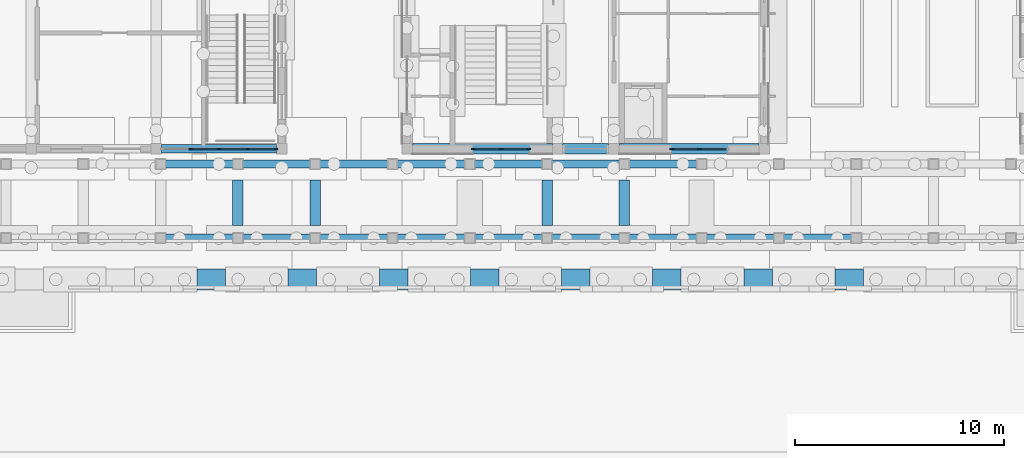
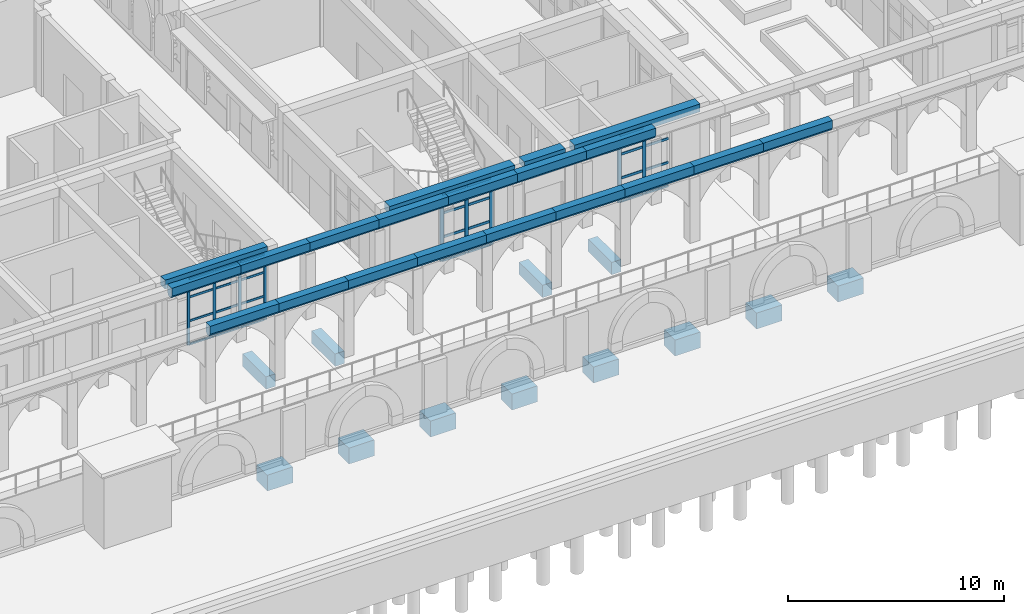
# One storey, part 20 of 161: 36 members, 32 beams, 3 elements without a shape of their own.
"""IFC4 building model written with IfcOpenShell, lengths in metres."""

from ifc_helpers import new_model, si_unit, direction, frame, origin, origin_2d, place, context, subcontext, project, spatial, polyline, rectangle, outline, extrude, material, layer, layer_set, material_profile, profile_set, type_object, element, aggregate, save


model = new_model("IFC4")

# Units and contexts
model_context = context("Model", 3, precision=1e-05, world=origin(), true_north=direction((0.0, 1.0)))
body_context = subcontext(model_context, "Body", "Model", "MODEL_VIEW")
ifc_project = project(units=[si_unit("LENGTHUNIT", "METRE"), si_unit("AREAUNIT", "SQUARE_METRE"), si_unit("VOLUMEUNIT", "CUBIC_METRE"), si_unit("PLANEANGLEUNIT", "RADIAN"), si_unit("MASSUNIT", "GRAM", prefix="KILO")], contexts=[model_context])

# Site, building, storey
site_placement = place(None, origin())
site = spatial("IfcSite", under=ifc_project, at=site_placement, CompositionType="ELEMENT")
building_placement = place(site_placement, origin())
building = spatial("IfcBuilding", under=site, at=building_placement, Name="Elbe Cascade School", CompositionType="ELEMENT")
storey_placement = place(building_placement, origin())
storey = spatial("IfcBuildingStorey", under=building, at=storey_placement, Name="L00", CompositionType="ELEMENT", Elevation=0.0)

# Beam
ifc_material_1 = material(Name="Concrete C30/37", Category="concrete")
ifc_material_profile_1 = material_profile(ifc_material_1, rectangle(XDim=0.39990234375, YDim=0.5, at=origin_2d()), Name="RC 400x500")
ifc_profile_set_1 = profile_set([ifc_material_profile_1], Name="Concrete C30/37")
beam_type_1 = type_object("IfcBeamType", Name="Assembly hall beam RC 400x500", PredefinedType="BEAM", material=ifc_profile_set_1)
beam_1_placement = place(storey_placement, frame((57.25, 6.0, 4.0), z_axis=(1.0, 0.0, 0.0), x_axis=(0.0, 1.0, 0.0)))
element("IfcBeam", 1, at=beam_1_placement, inside=storey, type_object=beam_type_1, Name="Assembly hall beam RC 400x500 B19", PredefinedType="BEAM", context=body_context, shape_type="SweptSolid", body=[
    extrude(rectangle(XDim=0.39990234375, YDim=0.5, at=origin_2d()), origin(), (0.0, 0.0, 1.0), 5.5),
])

# Curtain wall, members
ifc_material_2 = material(Name="Aluminium frame with double glazing, bronze anodised", Category="aluminium")
ifc_layer = layer(ifc_material_2, 0.199951171875)
ifc_layer_set = layer_set([ifc_layer], Name="Aluminium frame with double glazing, bronze anodised")
curtain_wall_type_1 = type_object("IfcCurtainWallType", Name="Bars envelope Curtain wall, aluminium, bronze anodised, ground floor tall run", PredefinedType="NOTDEFINED", material=ifc_layer_set)
curtain_wall_1_placement = place(storey_placement, origin())
curtain_wall_1 = element("IfcCurtainWall", 2, at=curtain_wall_1_placement, inside=storey, type_object=curtain_wall_type_1, Name="Curtain wall CW3 A.L00.s1", PredefinedType="NOTDEFINED")
ifc_material_3 = material(Name="Aluminium mullion, bronze anodised", Category="aluminium")
ifc_material_profile_2 = material_profile(ifc_material_3, rectangle(XDim=0.06005859375, YDim=0.199951171875, at=origin_2d()), Name="Bars envelope Curtain wall mullion 60 x 200, aluminium, ground floor tall run")
ifc_profile_set_2 = profile_set([ifc_material_profile_2], Name="Aluminium mullion, bronze anodised")
member_type_1 = type_object("IfcMemberType", Name="Bars envelope Curtain wall mullion 60 x 200, aluminium, ground floor tall run", PredefinedType="MULLION", material=ifc_profile_set_2)
member_1_placement = place(storey_placement, frame((74.820068359375, 6.0, 0.0), z_axis=(0.0, 0.0, 1.0), x_axis=(0.0, -1.0, 0.0)))
member_1 = element("IfcMember", 3, at=member_1_placement, type_object=member_type_1, Name="CW3 mullion 1", PredefinedType="MULLION", context=body_context, shape_type="SweptSolid", body=[
    extrude(rectangle(XDim=0.06005859375, YDim=0.199951171875, at=origin_2d()), origin(), (0.0, 0.0, 1.0), 3.800048828125),
])
member_2_placement = place(storey_placement, frame((73.5, 6.0, 0.0), z_axis=(0.0, 0.0, 1.0), x_axis=(0.0, -1.0, 0.0)))
member_2 = element("IfcMember", 4, at=member_2_placement, type_object=member_type_1, Name="CW3 mullion 2", PredefinedType="MULLION", context=body_context, shape_type="SweptSolid", body=[
    extrude(rectangle(XDim=0.06005859375, YDim=0.199951171875, at=origin_2d()), origin(), (0.0, 0.0, 1.0), 3.800048828125),
])
member_3_placement = place(storey_placement, frame((72.179931640625, 6.0, 0.0), z_axis=(0.0, 0.0, 1.0), x_axis=(0.0, -1.0, 0.0)))
member_3 = element("IfcMember", 5, at=member_3_placement, type_object=member_type_1, Name="CW3 mullion 3", PredefinedType="MULLION", context=body_context, shape_type="SweptSolid", body=[
    extrude(rectangle(XDim=0.06005859375, YDim=0.199951171875, at=origin_2d()), origin(), (0.0, 0.0, 1.0), 3.800048828125),
])

curtain_wall_2_placement = place(storey_placement, origin())
curtain_wall_2 = element("IfcCurtainWall", 6, at=curtain_wall_2_placement, inside=storey, type_object=curtain_wall_type_1, Name="Curtain wall CW3 A.L00.s3", PredefinedType="NOTDEFINED")
member_4_placement = place(storey_placement, frame((83.0, 6.0, 0.0), z_axis=(0.0, 0.0, 1.0), x_axis=(0.0, -1.0, 0.0)))
member_4 = element("IfcMember", 7, at=member_4_placement, type_object=member_type_1, Name="CW3 mullion 2", PredefinedType="MULLION", context=body_context, shape_type="SweptSolid", body=[
    extrude(rectangle(XDim=0.06005859375, YDim=0.199951171875, at=origin_2d()), origin(), (0.0, 0.0, 1.0), 3.800048828125),
])
member_5_placement = place(storey_placement, frame((81.679931640625, 6.0, 0.0), z_axis=(0.0, 0.0, 1.0), x_axis=(0.0, -1.0, 0.0)))
member_5 = element("IfcMember", 8, at=member_5_placement, type_object=member_type_1, Name="CW3 mullion 3", PredefinedType="MULLION", context=body_context, shape_type="SweptSolid", body=[
    extrude(rectangle(XDim=0.06005859375, YDim=0.199951171875, at=origin_2d()), origin(), (0.0, 0.0, 1.0), 3.800048828125),
])

# Member
ifc_material_4 = material(Name="Aluminium transom, bronze anodised", Category="aluminium")
ifc_material_profile_3 = material_profile(ifc_material_4, rectangle(XDim=0.06005859375, YDim=0.139892578125, at=origin_2d()), Name="Bars envelope Curtain wall transom 60 x 140, aluminium, ground floor tall run")
ifc_profile_set_3 = profile_set([ifc_material_profile_3], Name="Aluminium transom, bronze anodised")
member_type_2 = type_object("IfcMemberType", Name="Bars envelope Curtain wall transom 60 x 140, aluminium, ground floor tall run", PredefinedType="USERDEFINED", material=ifc_profile_set_3)
member_6_placement = place(storey_placement, frame((74.7900390625, 6.0, 0.030029296875), z_axis=(-1.0, 0.0, 0.0), x_axis=(0.0, -1.0, 0.0)))
member_6 = element("IfcMember", 9, at=member_6_placement, type_object=member_type_2, Name="CW3 transom 1.1", ObjectType="TRANSOM", PredefinedType="USERDEFINED", context=body_context, shape_type="SweptSolid", body=[
    extrude(rectangle(XDim=0.06005859375, YDim=0.139892578125, at=origin_2d()), origin(), (0.0, 0.0, 1.0), 1.260009765625),
])

member_7_placement = place(storey_placement, frame((74.7900390625, 6.0, 1.35009765625), z_axis=(-1.0, 0.0, 0.0), x_axis=(0.0, -1.0, 0.0)))
member_7 = element("IfcMember", 10, at=member_7_placement, type_object=member_type_2, Name="CW3 transom 1.2", ObjectType="TRANSOM", PredefinedType="USERDEFINED", context=body_context, shape_type="SweptSolid", body=[
    extrude(rectangle(XDim=0.06005859375, YDim=0.139892578125, at=origin_2d()), origin(), (0.0, 0.0, 1.0), 1.260009765625),
])

member_8_placement = place(storey_placement, frame((74.7900390625, 6.0, 2.699951171875), z_axis=(-1.0, 0.0, 0.0), x_axis=(0.0, -1.0, 0.0)))
member_8 = element("IfcMember", 11, at=member_8_placement, type_object=member_type_2, Name="CW3 transom 1.3", ObjectType="TRANSOM", PredefinedType="USERDEFINED", context=body_context, shape_type="SweptSolid", body=[
    extrude(rectangle(XDim=0.06005859375, YDim=0.139892578125, at=origin_2d()), origin(), (0.0, 0.0, 1.0), 1.260009765625),
])

member_9_placement = place(storey_placement, frame((74.7900390625, 6.0, 3.77001953125), z_axis=(-1.0, 0.0, 0.0), x_axis=(0.0, -1.0, 0.0)))
member_9 = element("IfcMember", 12, at=member_9_placement, type_object=member_type_2, Name="CW3 transom 1.4", ObjectType="TRANSOM", PredefinedType="USERDEFINED", context=body_context, shape_type="SweptSolid", body=[
    extrude(rectangle(XDim=0.06005859375, YDim=0.139892578125, at=origin_2d()), origin(), (0.0, 0.0, 1.0), 1.260009765625),
])

member_10_placement = place(storey_placement, frame((73.469970703125, 6.0, 0.030029296875), z_axis=(-1.0, 0.0, 0.0), x_axis=(0.0, -1.0, 0.0)))
member_10 = element("IfcMember", 13, at=member_10_placement, type_object=member_type_2, Name="CW3 transom 2.1", ObjectType="TRANSOM", PredefinedType="USERDEFINED", context=body_context, shape_type="SweptSolid", body=[
    extrude(rectangle(XDim=0.06005859375, YDim=0.139892578125, at=origin_2d()), origin(), (0.0, 0.0, 1.0), 1.260009765625),
])

member_11_placement = place(storey_placement, frame((73.469970703125, 6.0, 1.35009765625), z_axis=(-1.0, 0.0, 0.0), x_axis=(0.0, -1.0, 0.0)))
member_11 = element("IfcMember", 14, at=member_11_placement, type_object=member_type_2, Name="CW3 transom 2.2", ObjectType="TRANSOM", PredefinedType="USERDEFINED", context=body_context, shape_type="SweptSolid", body=[
    extrude(rectangle(XDim=0.06005859375, YDim=0.139892578125, at=origin_2d()), origin(), (0.0, 0.0, 1.0), 1.260009765625),
])

member_12_placement = place(storey_placement, frame((73.469970703125, 6.0, 2.699951171875), z_axis=(-1.0, 0.0, 0.0), x_axis=(0.0, -1.0, 0.0)))
member_12 = element("IfcMember", 15, at=member_12_placement, type_object=member_type_2, Name="CW3 transom 2.3", ObjectType="TRANSOM", PredefinedType="USERDEFINED", context=body_context, shape_type="SweptSolid", body=[
    extrude(rectangle(XDim=0.06005859375, YDim=0.139892578125, at=origin_2d()), origin(), (0.0, 0.0, 1.0), 1.260009765625),
])

member_13_placement = place(storey_placement, frame((73.469970703125, 6.0, 3.77001953125), z_axis=(-1.0, 0.0, 0.0), x_axis=(0.0, -1.0, 0.0)))
member_13 = element("IfcMember", 16, at=member_13_placement, type_object=member_type_2, Name="CW3 transom 2.4", ObjectType="TRANSOM", PredefinedType="USERDEFINED", context=body_context, shape_type="SweptSolid", body=[
    extrude(rectangle(XDim=0.06005859375, YDim=0.139892578125, at=origin_2d()), origin(), (0.0, 0.0, 1.0), 1.260009765625),
])

aggregate(curtain_wall_1, [member_1, member_2, member_3, member_6, member_7, member_8, member_9, member_10, member_11, member_12, member_13])

member_14_placement = place(storey_placement, frame((84.2900390625, 6.0, 0.030029296875), z_axis=(-1.0, 0.0, 0.0), x_axis=(0.0, -1.0, 0.0)))
member_14 = element("IfcMember", 17, at=member_14_placement, type_object=member_type_2, Name="CW3 transom 1.1", ObjectType="TRANSOM", PredefinedType="USERDEFINED", context=body_context, shape_type="SweptSolid", body=[
    extrude(rectangle(XDim=0.06005859375, YDim=0.139892578125, at=origin_2d()), origin(), (0.0, 0.0, 1.0), 1.260009765625),
])

member_15_placement = place(storey_placement, frame((84.2900390625, 6.0, 1.35009765625), z_axis=(-1.0, 0.0, 0.0), x_axis=(0.0, -1.0, 0.0)))
member_15 = element("IfcMember", 18, at=member_15_placement, type_object=member_type_2, Name="CW3 transom 1.2", ObjectType="TRANSOM", PredefinedType="USERDEFINED", context=body_context, shape_type="SweptSolid", body=[
    extrude(rectangle(XDim=0.06005859375, YDim=0.139892578125, at=origin_2d()), origin(), (0.0, 0.0, 1.0), 1.260009765625),
])

member_16_placement = place(storey_placement, frame((84.2900390625, 6.0, 2.699951171875), z_axis=(-1.0, 0.0, 0.0), x_axis=(0.0, -1.0, 0.0)))
member_16 = element("IfcMember", 19, at=member_16_placement, type_object=member_type_2, Name="CW3 transom 1.3", ObjectType="TRANSOM", PredefinedType="USERDEFINED", context=body_context, shape_type="SweptSolid", body=[
    extrude(rectangle(XDim=0.06005859375, YDim=0.139892578125, at=origin_2d()), origin(), (0.0, 0.0, 1.0), 1.260009765625),
])

member_17_placement = place(storey_placement, frame((82.969970703125, 6.0, 0.030029296875), z_axis=(-1.0, 0.0, 0.0), x_axis=(0.0, -1.0, 0.0)))
member_17 = element("IfcMember", 20, at=member_17_placement, type_object=member_type_2, Name="CW3 transom 2.1", ObjectType="TRANSOM", PredefinedType="USERDEFINED", context=body_context, shape_type="SweptSolid", body=[
    extrude(rectangle(XDim=0.06005859375, YDim=0.139892578125, at=origin_2d()), origin(), (0.0, 0.0, 1.0), 1.260009765625),
])

member_18_placement = place(storey_placement, frame((82.969970703125, 6.0, 1.35009765625), z_axis=(-1.0, 0.0, 0.0), x_axis=(0.0, -1.0, 0.0)))
member_18 = element("IfcMember", 21, at=member_18_placement, type_object=member_type_2, Name="CW3 transom 2.2", ObjectType="TRANSOM", PredefinedType="USERDEFINED", context=body_context, shape_type="SweptSolid", body=[
    extrude(rectangle(XDim=0.06005859375, YDim=0.139892578125, at=origin_2d()), origin(), (0.0, 0.0, 1.0), 1.260009765625),
])

member_19_placement = place(storey_placement, frame((82.969970703125, 6.0, 2.699951171875), z_axis=(-1.0, 0.0, 0.0), x_axis=(0.0, -1.0, 0.0)))
member_19 = element("IfcMember", 22, at=member_19_placement, type_object=member_type_2, Name="CW3 transom 2.3", ObjectType="TRANSOM", PredefinedType="USERDEFINED", context=body_context, shape_type="SweptSolid", body=[
    extrude(rectangle(XDim=0.06005859375, YDim=0.139892578125, at=origin_2d()), origin(), (0.0, 0.0, 1.0), 1.260009765625),
])

member_20_placement = place(storey_placement, frame((82.969970703125, 6.0, 3.77001953125), z_axis=(-1.0, 0.0, 0.0), x_axis=(0.0, -1.0, 0.0)))
member_20 = element("IfcMember", 23, at=member_20_placement, type_object=member_type_2, Name="CW3 transom 2.4", ObjectType="TRANSOM", PredefinedType="USERDEFINED", context=body_context, shape_type="SweptSolid", body=[
    extrude(rectangle(XDim=0.06005859375, YDim=0.139892578125, at=origin_2d()), origin(), (0.0, 0.0, 1.0), 1.260009765625),
])

aggregate(curtain_wall_2, [member_4, member_5, member_14, member_15, member_16, member_17, member_18, member_19, member_20])

# Curtain wall, members
ifc_material_5 = material(Name="Cafe curtain wall")
curtain_wall_type_2 = type_object("IfcCurtainWallType", Name="Cafe curtain wall", PredefinedType="NOTDEFINED", material=ifc_material_5)
curtain_wall_3_placement = place(storey_placement, origin())
curtain_wall_3 = element("IfcCurtainWall", 24, at=curtain_wall_3_placement, inside=storey, type_object=curtain_wall_type_2, Name="Curtain wall CW1 DI.L00.cw.s3", PredefinedType="NOTDEFINED")
ifc_material_6 = material(Name="Aluminium - bronze anodised", Category="aluminium")
ifc_material_profile_4 = material_profile(ifc_material_6, rectangle(XDim=0.06005859375, YDim=0.159912109375, at=origin_2d()), Name="RECT 60x160")
ifc_profile_set_4 = profile_set([ifc_material_profile_4], Name="Aluminium - bronze anodised")
member_type_3 = type_object("IfcMemberType", Name="Cafe curtain wall mullion 60 x 160", PredefinedType="MULLION", material=ifc_profile_set_4)
member_21_placement = place(storey_placement, frame((58.625, 6.0, 0.0), z_axis=(0.0, 0.0, 1.0), x_axis=(0.0, 1.0, 0.0)))
member_21 = element("IfcMember", 25, at=member_21_placement, type_object=member_type_3, Name="CW1 mullion 2", PredefinedType="MULLION", context=body_context, shape_type="SweptSolid", body=[
    extrude(rectangle(XDim=0.06005859375, YDim=0.159912109375, at=origin_2d()), origin(), (0.0, 0.0, 1.0), 3.75),
])
member_22_placement = place(storey_placement, frame((60.0, 6.0, 0.0), z_axis=(0.0, 0.0, 1.0), x_axis=(0.0, 1.0, 0.0)))
member_22 = element("IfcMember", 26, at=member_22_placement, type_object=member_type_3, Name="CW1 mullion 3", PredefinedType="MULLION", context=body_context, shape_type="SweptSolid", body=[
    extrude(rectangle(XDim=0.06005859375, YDim=0.159912109375, at=origin_2d()), origin(), (0.0, 0.0, 1.0), 3.75),
])
member_23_placement = place(storey_placement, frame((61.375, 6.0, 0.0), z_axis=(0.0, 0.0, 1.0), x_axis=(0.0, 1.0, 0.0)))
member_23 = element("IfcMember", 27, at=member_23_placement, type_object=member_type_3, Name="CW1 mullion 4", PredefinedType="MULLION", context=body_context, shape_type="SweptSolid", body=[
    extrude(rectangle(XDim=0.06005859375, YDim=0.159912109375, at=origin_2d()), origin(), (0.0, 0.0, 1.0), 3.75),
])
member_24_placement = place(storey_placement, frame((62.719970703125, 6.0, 0.0), z_axis=(0.0, 0.0, 1.0), x_axis=(0.0, 1.0, 0.0)))
member_24 = element("IfcMember", 28, at=member_24_placement, type_object=member_type_3, Name="CW1 mullion 5", PredefinedType="MULLION", context=body_context, shape_type="SweptSolid", body=[
    extrude(rectangle(XDim=0.06005859375, YDim=0.159912109375, at=origin_2d()), origin(), (0.0, 0.0, 1.0), 3.75),
])
ifc_material_7 = material(Name="Aluminium - bronze anodised", Category="aluminium")
ifc_material_profile_5 = material_profile(ifc_material_7, rectangle(XDim=0.06005859375, YDim=0.1201171875, at=origin_2d()), Name="RECT 60x120")
ifc_profile_set_5 = profile_set([ifc_material_profile_5], Name="Aluminium - bronze anodised")
member_type_4 = type_object("IfcMemberType", Name="Cafe curtain wall transom 60 x 120", PredefinedType="USERDEFINED", material=ifc_profile_set_5)
member_25_placement = place(storey_placement, frame((58.655029296875, 6.0, 0.030029296875), z_axis=(1.0, 0.0, 0.0), x_axis=(0.0, 1.0, 0.0)))
member_25 = element("IfcMember", 29, at=member_25_placement, type_object=member_type_4, Name="CW1 transom 2.1", ObjectType="TRANSOM", PredefinedType="USERDEFINED", context=body_context, shape_type="SweptSolid", body=[
    extrude(rectangle(XDim=0.06005859375, YDim=0.1201171875, at=origin_2d()), origin(), (0.0, 0.0, 1.0), 1.31494140625),
])
member_26_placement = place(storey_placement, frame((58.655029296875, 6.0, 1.35009765625), z_axis=(1.0, 0.0, 0.0), x_axis=(0.0, 1.0, 0.0)))
member_26 = element("IfcMember", 30, at=member_26_placement, type_object=member_type_4, Name="CW1 transom 2.2", ObjectType="TRANSOM", PredefinedType="USERDEFINED", context=body_context, shape_type="SweptSolid", body=[
    extrude(rectangle(XDim=0.06005859375, YDim=0.1201171875, at=origin_2d()), origin(), (0.0, 0.0, 1.0), 1.31494140625),
])
member_27_placement = place(storey_placement, frame((58.655029296875, 6.0, 2.699951171875), z_axis=(1.0, 0.0, 0.0), x_axis=(0.0, 1.0, 0.0)))
member_27 = element("IfcMember", 31, at=member_27_placement, type_object=member_type_4, Name="CW1 transom 2.3", ObjectType="TRANSOM", PredefinedType="USERDEFINED", context=body_context, shape_type="SweptSolid", body=[
    extrude(rectangle(XDim=0.06005859375, YDim=0.1201171875, at=origin_2d()), origin(), (0.0, 0.0, 1.0), 1.31494140625),
])
member_28_placement = place(storey_placement, frame((58.655029296875, 6.0, 3.719970703125), z_axis=(1.0, 0.0, 0.0), x_axis=(0.0, 1.0, 0.0)))
member_28 = element("IfcMember", 32, at=member_28_placement, type_object=member_type_4, Name="CW1 transom 2.4", ObjectType="TRANSOM", PredefinedType="USERDEFINED", context=body_context, shape_type="SweptSolid", body=[
    extrude(rectangle(XDim=0.06005859375, YDim=0.1201171875, at=origin_2d()), origin(), (0.0, 0.0, 1.0), 1.31494140625),
])
member_29_placement = place(storey_placement, frame((60.030029296875, 6.0, 0.030029296875), z_axis=(1.0, 0.0, 0.0), x_axis=(0.0, 1.0, 0.0)))
member_29 = element("IfcMember", 33, at=member_29_placement, type_object=member_type_4, Name="CW1 transom 3.1", ObjectType="TRANSOM", PredefinedType="USERDEFINED", context=body_context, shape_type="SweptSolid", body=[
    extrude(rectangle(XDim=0.06005859375, YDim=0.1201171875, at=origin_2d()), origin(), (0.0, 0.0, 1.0), 1.31494140625),
])
member_30_placement = place(storey_placement, frame((60.030029296875, 6.0, 1.35009765625), z_axis=(1.0, 0.0, 0.0), x_axis=(0.0, 1.0, 0.0)))
member_30 = element("IfcMember", 34, at=member_30_placement, type_object=member_type_4, Name="CW1 transom 3.2", ObjectType="TRANSOM", PredefinedType="USERDEFINED", context=body_context, shape_type="SweptSolid", body=[
    extrude(rectangle(XDim=0.06005859375, YDim=0.1201171875, at=origin_2d()), origin(), (0.0, 0.0, 1.0), 1.31494140625),
])
member_31_placement = place(storey_placement, frame((60.030029296875, 6.0, 2.699951171875), z_axis=(1.0, 0.0, 0.0), x_axis=(0.0, 1.0, 0.0)))
member_31 = element("IfcMember", 35, at=member_31_placement, type_object=member_type_4, Name="CW1 transom 3.3", ObjectType="TRANSOM", PredefinedType="USERDEFINED", context=body_context, shape_type="SweptSolid", body=[
    extrude(rectangle(XDim=0.06005859375, YDim=0.1201171875, at=origin_2d()), origin(), (0.0, 0.0, 1.0), 1.31494140625),
])
member_32_placement = place(storey_placement, frame((60.030029296875, 6.0, 3.719970703125), z_axis=(1.0, 0.0, 0.0), x_axis=(0.0, 1.0, 0.0)))
member_32 = element("IfcMember", 36, at=member_32_placement, type_object=member_type_4, Name="CW1 transom 3.4", ObjectType="TRANSOM", PredefinedType="USERDEFINED", context=body_context, shape_type="SweptSolid", body=[
    extrude(rectangle(XDim=0.06005859375, YDim=0.1201171875, at=origin_2d()), origin(), (0.0, 0.0, 1.0), 1.31494140625),
])
member_33_placement = place(storey_placement, frame((61.405029296875, 6.0, 0.030029296875), z_axis=(1.0, 0.0, 0.0), x_axis=(0.0, 1.0, 0.0)))
member_33 = element("IfcMember", 37, at=member_33_placement, type_object=member_type_4, Name="CW1 transom 4.1", ObjectType="TRANSOM", PredefinedType="USERDEFINED", context=body_context, shape_type="SweptSolid", body=[
    extrude(rectangle(XDim=0.06005859375, YDim=0.1201171875, at=origin_2d()), origin(), (0.0, 0.0, 1.0), 1.284912109375),
])
member_34_placement = place(storey_placement, frame((61.405029296875, 6.0, 1.35009765625), z_axis=(1.0, 0.0, 0.0), x_axis=(0.0, 1.0, 0.0)))
member_34 = element("IfcMember", 38, at=member_34_placement, type_object=member_type_4, Name="CW1 transom 4.2", ObjectType="TRANSOM", PredefinedType="USERDEFINED", context=body_context, shape_type="SweptSolid", body=[
    extrude(rectangle(XDim=0.06005859375, YDim=0.1201171875, at=origin_2d()), origin(), (0.0, 0.0, 1.0), 1.284912109375),
])
member_35_placement = place(storey_placement, frame((61.405029296875, 6.0, 2.699951171875), z_axis=(1.0, 0.0, 0.0), x_axis=(0.0, 1.0, 0.0)))
member_35 = element("IfcMember", 39, at=member_35_placement, type_object=member_type_4, Name="CW1 transom 4.3", ObjectType="TRANSOM", PredefinedType="USERDEFINED", context=body_context, shape_type="SweptSolid", body=[
    extrude(rectangle(XDim=0.06005859375, YDim=0.1201171875, at=origin_2d()), origin(), (0.0, 0.0, 1.0), 1.284912109375),
])
member_36_placement = place(storey_placement, frame((61.405029296875, 6.0, 3.719970703125), z_axis=(1.0, 0.0, 0.0), x_axis=(0.0, 1.0, 0.0)))
member_36 = element("IfcMember", 40, at=member_36_placement, type_object=member_type_4, Name="CW1 transom 4.4", ObjectType="TRANSOM", PredefinedType="USERDEFINED", context=body_context, shape_type="SweptSolid", body=[
    extrude(rectangle(XDim=0.06005859375, YDim=0.1201171875, at=origin_2d()), origin(), (0.0, 0.0, 1.0), 1.284912109375),
])
aggregate(curtain_wall_3, [member_21, member_22, member_23, member_24, member_25, member_26, member_27, member_28, member_29, member_30, member_31, member_32, member_33, member_34, member_35, member_36])

# Beams
ifc_material_8 = material(Name="Concrete C35/45", Category="concrete")
ifc_material_profile_6 = material_profile(ifc_material_8, outline(polyline([(-0.199951171875, 0.300048828125), (0.199951171875, 0.300048828125), (0.199951171875, -0.14990234375), (0.10009765625, -0.300048828125), (-0.10009765625, -0.300048828125), (-0.199951171875, -0.14990234375), (-0.199951171875, 0.300048828125)])), Name="RC arch 400x600")
ifc_profile_set_6 = profile_set([ifc_material_profile_6], Name="Concrete C35/45")
beam_type_2 = type_object("IfcBeamType", Name="Colonnade arch beam 400x600", PredefinedType="USERDEFINED", material=ifc_profile_set_6)
beam_2_placement = place(storey_placement, frame((57.199951171875, 1.72509765625, 3.949951171875), z_axis=(1.0, 0.0, 0.0), x_axis=(0.0, 1.0, 0.0)))
element("IfcBeam", 41, at=beam_2_placement, inside=storey, type_object=beam_type_2, Name="Colonnade arch beam F14", ObjectType="ARCH", PredefinedType="USERDEFINED", context=body_context, shape_type="SweptSolid", body=[
    extrude(outline(polyline([(-0.199951171875, 0.300048828125), (0.199951171875, 0.300048828125), (0.199951171875, -0.14990234375), (0.10009765625, -0.300048828125), (-0.10009765625, -0.300048828125), (-0.199951171875, -0.14990234375), (-0.199951171875, 0.300048828125)])), origin(), (0.0, 0.0, 1.0), 3.699951171875),
])
beam_3_placement = place(storey_placement, frame((60.89990234375, 1.72509765625, 3.949951171875), z_axis=(1.0, 0.0, 0.0), x_axis=(0.0, 1.0, 0.0)))
element("IfcBeam", 42, at=beam_3_placement, inside=storey, type_object=beam_type_2, Name="Colonnade arch beam F15", ObjectType="ARCH", PredefinedType="USERDEFINED", context=body_context, shape_type="SweptSolid", body=[
    extrude(outline(polyline([(-0.199951171875, 0.300048828125), (0.199951171875, 0.300048828125), (0.199951171875, -0.14990234375), (0.10009765625, -0.300048828125), (-0.10009765625, -0.300048828125), (-0.199951171875, -0.14990234375), (-0.199951171875, 0.300048828125)])), origin(), (0.0, 0.0, 1.0), 3.7001953125),
])
for number, where, z_axis, x_axis, name in (
    (43, (64.60009765625, 1.72509765625, 3.949951171875), (1.0, 0.0, 0.0), (0.0, 1.0, 0.0), "Colonnade arch beam F16"),
    (44, (68.300048828125, 1.72509765625, 3.949951171875), (1.0, 0.0, 0.0), (0.0, 1.0, 0.0), "Colonnade arch beam F17"),
    (45, (72.0, 1.72509765625, 3.949951171875), (1.0, 0.0, 0.0), (0.0, 1.0, 0.0), "Colonnade arch beam F18"),
    (46, (75.699951171875, 1.72509765625, 3.949951171875), (1.0, 0.0, 0.0), (0.0, 1.0, 0.0), "Colonnade arch beam F19"),
):
    element("IfcBeam", number, at=place(storey_placement, frame(where, z_axis=z_axis, x_axis=x_axis)), inside=storey, type_object=beam_type_2, Name=name, ObjectType="ARCH", PredefinedType="USERDEFINED", context=body_context, shape_type="SweptSolid", body=[
        extrude(outline(polyline([(-0.199951171875, 0.300048828125), (0.199951171875, 0.300048828125), (0.199951171875, -0.14990234375), (0.10009765625, -0.300048828125), (-0.10009765625, -0.300048828125), (-0.199951171875, -0.14990234375), (-0.199951171875, 0.300048828125)])), origin(), (0.0, 0.0, 1.0), 3.699951171875),
    ])
beam_4_placement = place(storey_placement, frame((79.39990234375, 1.72509765625, 3.949951171875), z_axis=(1.0, 0.0, 0.0), x_axis=(0.0, 1.0, 0.0)))
element("IfcBeam", 47, at=beam_4_placement, inside=storey, type_object=beam_type_2, Name="Colonnade arch beam F20", ObjectType="ARCH", PredefinedType="USERDEFINED", context=body_context, shape_type="SweptSolid", body=[
    extrude(outline(polyline([(-0.199951171875, 0.300048828125), (0.199951171875, 0.300048828125), (0.199951171875, -0.14990234375), (0.10009765625, -0.300048828125), (-0.10009765625, -0.300048828125), (-0.199951171875, -0.14990234375), (-0.199951171875, 0.300048828125)])), origin(), (0.0, 0.0, 1.0), 3.7001953125),
])
for number, where, z_axis, x_axis, name in (
    (48, (83.10009765625, 1.72509765625, 3.949951171875), (1.0, 0.0, 0.0), (0.0, 1.0, 0.0), "Colonnade arch beam F21"),
    (49, (86.800048828125, 1.72509765625, 3.949951171875), (1.0, 0.0, 0.0), (0.0, 1.0, 0.0), "Colonnade arch beam F22"),
    (50, (57.199951171875, 5.27490234375, 3.949951171875), (1.0, 0.0, 0.0), (0.0, 1.0, 0.0), "Colonnade arch beam R14"),
):
    element("IfcBeam", number, at=place(storey_placement, frame(where, z_axis=z_axis, x_axis=x_axis)), inside=storey, type_object=beam_type_2, Name=name, ObjectType="ARCH", PredefinedType="USERDEFINED", context=body_context, shape_type="SweptSolid", body=[
        extrude(outline(polyline([(-0.199951171875, 0.300048828125), (0.199951171875, 0.300048828125), (0.199951171875, -0.14990234375), (0.10009765625, -0.300048828125), (-0.10009765625, -0.300048828125), (-0.199951171875, -0.14990234375), (-0.199951171875, 0.300048828125)])), origin(), (0.0, 0.0, 1.0), 3.699951171875),
    ])
beam_5_placement = place(storey_placement, frame((60.89990234375, 5.27490234375, 3.949951171875), z_axis=(1.0, 0.0, 0.0), x_axis=(0.0, 1.0, 0.0)))
element("IfcBeam", 51, at=beam_5_placement, inside=storey, type_object=beam_type_2, Name="Colonnade arch beam R15", ObjectType="ARCH", PredefinedType="USERDEFINED", context=body_context, shape_type="SweptSolid", body=[
    extrude(outline(polyline([(-0.199951171875, 0.300048828125), (0.199951171875, 0.300048828125), (0.199951171875, -0.14990234375), (0.10009765625, -0.300048828125), (-0.10009765625, -0.300048828125), (-0.199951171875, -0.14990234375), (-0.199951171875, 0.300048828125)])), origin(), (0.0, 0.0, 1.0), 3.7001953125),
])
for number, where, z_axis, x_axis, name in (
    (52, (64.60009765625, 5.27490234375, 3.949951171875), (1.0, 0.0, 0.0), (0.0, 1.0, 0.0), "Colonnade arch beam R16"),
    (53, (68.300048828125, 5.27490234375, 3.949951171875), (1.0, 0.0, 0.0), (0.0, 1.0, 0.0), "Colonnade arch beam R17"),
    (54, (72.0, 5.27490234375, 3.949951171875), (1.0, 0.0, 0.0), (0.0, 1.0, 0.0), "Colonnade arch beam R18"),
    (55, (75.699951171875, 5.27490234375, 3.949951171875), (1.0, 0.0, 0.0), (0.0, 1.0, 0.0), "Colonnade arch beam R19"),
):
    element("IfcBeam", number, at=place(storey_placement, frame(where, z_axis=z_axis, x_axis=x_axis)), inside=storey, type_object=beam_type_2, Name=name, ObjectType="ARCH", PredefinedType="USERDEFINED", context=body_context, shape_type="SweptSolid", body=[
        extrude(outline(polyline([(-0.199951171875, 0.300048828125), (0.199951171875, 0.300048828125), (0.199951171875, -0.14990234375), (0.10009765625, -0.300048828125), (-0.10009765625, -0.300048828125), (-0.199951171875, -0.14990234375), (-0.199951171875, 0.300048828125)])), origin(), (0.0, 0.0, 1.0), 3.699951171875),
    ])
beam_6_placement = place(storey_placement, frame((79.39990234375, 5.27490234375, 3.949951171875), z_axis=(1.0, 0.0, 0.0), x_axis=(0.0, 1.0, 0.0)))
element("IfcBeam", 56, at=beam_6_placement, inside=storey, type_object=beam_type_2, Name="Colonnade arch beam R20", ObjectType="ARCH", PredefinedType="USERDEFINED", context=body_context, shape_type="SweptSolid", body=[
    extrude(outline(polyline([(-0.199951171875, 0.300048828125), (0.199951171875, 0.300048828125), (0.199951171875, -0.14990234375), (0.10009765625, -0.300048828125), (-0.10009765625, -0.300048828125), (-0.199951171875, -0.14990234375), (-0.199951171875, 0.300048828125)])), origin(), (0.0, 0.0, 1.0), 3.7001953125),
])
ifc_material_9 = material(Name="Concrete C30/37", Category="concrete")
ifc_material_profile_7 = material_profile(ifc_material_9, rectangle(XDim=1.0, YDim=0.89990234375, at=origin_2d()), Name="RC 1000x900")
ifc_profile_set_7 = profile_set([ifc_material_profile_7], Name="Concrete C30/37")
beam_type_3 = type_object("IfcBeamType", Name="Found ground beam RC 1000x900", PredefinedType="BEAM", material=ifc_profile_set_7)
for number, where, z_axis, x_axis, name in (
    (57, (58.9482421875, -0.25, -3.85009765625), (1.0, 0.0, 0.0), (0.0, 1.0, 0.0), "Ground beam 004"),
    (58, (63.310302734375, -0.25, -3.85009765625), (1.0, 0.0, 0.0), (0.0, 1.0, 0.0), "Ground beam 005"),
    (59, (67.67236328125, -0.25, -3.85009765625), (1.0, 0.0, 0.0), (0.0, 1.0, 0.0), "Ground beam 006"),
    (60, (72.034423828125, -0.25, -3.85009765625), (1.0, 0.0, 0.0), (0.0, 1.0, 0.0), "Ground beam 007"),
    (61, (76.396484375, -0.25, -3.85009765625), (1.0, 0.0, 0.0), (0.0, 1.0, 0.0), "Ground beam 008"),
    (62, (80.758544921875, -0.25, -3.85009765625), (1.0, 0.0, 0.0), (0.0, 1.0, 0.0), "Ground beam 009"),
):
    element("IfcBeam", number, at=place(storey_placement, frame(where, z_axis=z_axis, x_axis=x_axis)), inside=storey, type_object=beam_type_3, Name=name, PredefinedType="BEAM", context=body_context, shape_type="SweptSolid", body=[
        extrude(rectangle(XDim=1.0, YDim=0.89990234375, at=origin_2d()), origin(), (0.0, 0.0, 1.0), 1.362060546875),
    ])
beam_7_placement = place(storey_placement, frame((85.12060546875, -0.25, -3.85009765625), z_axis=(1.0, 0.0, 0.0), x_axis=(0.0, 1.0, 0.0)))
element("IfcBeam", 63, at=beam_7_placement, inside=storey, type_object=beam_type_3, Name="Ground beam 010", PredefinedType="BEAM", context=body_context, shape_type="SweptSolid", body=[
    extrude(rectangle(XDim=1.0, YDim=0.89990234375, at=origin_2d()), origin(), (0.0, 0.0, 1.0), 1.3623046875),
])
beam_8_placement = place(storey_placement, frame((89.48291015625, -0.25, -3.85009765625), z_axis=(1.0, 0.0, 0.0), x_axis=(0.0, 1.0, 0.0)))
element("IfcBeam", 64, at=beam_8_placement, inside=storey, type_object=beam_type_3, Name="Ground beam 011", PredefinedType="BEAM", context=body_context, shape_type="SweptSolid", body=[
    extrude(rectangle(XDim=1.0, YDim=0.89990234375, at=origin_2d()), origin(), (0.0, 0.0, 1.0), 1.36181640625),
])
ifc_material_10 = material(Name="Concrete C30/37", Category="concrete")
ifc_material_profile_8 = material_profile(ifc_material_10, rectangle(XDim=0.5, YDim=0.699951171875, at=origin_2d()), Name="RC 500x700")
ifc_profile_set_8 = profile_set([ifc_material_profile_8], Name="Concrete C30/37")
beam_type_4 = type_object("IfcBeamType", Name="Found ground beam RC 500x700", PredefinedType="BEAM", material=ifc_profile_set_8)
for number, where, z_axis, x_axis, name in (
    (65, (60.89990234375, 2.324951171875, -0.64990234375), (0.0, 1.0, 0.0), (-1.0, 0.0, 0.0), "Ground beam 392"),
    (66, (64.60009765625, 2.324951171875, -0.64990234375), (0.0, 1.0, 0.0), (-1.0, 0.0, 0.0), "Ground beam 393"),
    (67, (75.699951171875, 2.324951171875, -0.64990234375), (0.0, 1.0, 0.0), (-1.0, 0.0, 0.0), "Ground beam 394"),
    (68, (79.39990234375, 2.324951171875, -0.64990234375), (0.0, 1.0, 0.0), (-1.0, 0.0, 0.0), "Ground beam 395"),
):
    element("IfcBeam", number, at=place(storey_placement, frame(where, z_axis=z_axis, x_axis=x_axis)), inside=storey, type_object=beam_type_4, Name=name, PredefinedType="BEAM", context=body_context, shape_type="SweptSolid", body=[
        extrude(rectangle(XDim=0.5, YDim=0.699951171875, at=origin_2d()), origin(), (0.0, 0.0, 1.0), 2.175048828125),
    ])
ifc_material_11 = material(Name="Concrete C30/37", Category="concrete")
ifc_material_profile_9 = material_profile(ifc_material_11, rectangle(XDim=0.5, YDim=0.35009765625, at=origin_2d()), Name="RC 500x350")
ifc_profile_set_9 = profile_set([ifc_material_profile_9], Name="Concrete C30/37")
beam_type_5 = type_object("IfcBeamType", Name="RC 500x350 beam", PredefinedType="BEAM", material=ifc_profile_set_9)
beam_9_placement = place(storey_placement, frame((76.449951171875, 6.0, 4.074951171875), z_axis=(1.0, 0.0, 0.0), x_axis=(0.0, 1.0, 0.0)))
element("IfcBeam", 69, at=beam_9_placement, inside=storey, type_object=beam_type_5, Name="RC 500x350 beam B8", PredefinedType="BEAM", context=body_context, shape_type="SweptSolid", body=[
    extrude(rectangle(XDim=0.5, YDim=0.35009765625, at=origin_2d()), origin(), (0.0, 0.0, 1.0), 2.199951171875),
])
ifc_material_12 = material(Name="Concrete C30/37", Category="concrete")
ifc_material_profile_10 = material_profile(ifc_material_12, rectangle(XDim=0.5, YDim=0.449951171875, at=origin_2d()), Name="RC 500x450")
ifc_profile_set_10 = profile_set([ifc_material_profile_10], Name="Concrete C30/37")
beam_type_6 = type_object("IfcBeamType", Name="RC 500x450 beam", PredefinedType="BEAM", material=ifc_profile_set_10)
beam_10_placement = place(storey_placement, frame((69.25, 6.0, 4.02490234375), z_axis=(1.0, 0.0, 0.0), x_axis=(0.0, 1.0, 0.0)))
element("IfcBeam", 70, at=beam_10_placement, inside=storey, type_object=beam_type_6, Name="RC 500x450 beam B7", PredefinedType="BEAM", context=body_context, shape_type="SweptSolid", body=[
    extrude(rectangle(XDim=0.5, YDim=0.449951171875, at=origin_2d()), origin(), (0.0, 0.0, 1.0), 6.699951171875),
])
beam_11_placement = place(storey_placement, frame((79.14990234375, 6.0, 4.02490234375), z_axis=(1.0, 0.0, 0.0), x_axis=(0.0, 1.0, 0.0)))
element("IfcBeam", 71, at=beam_11_placement, inside=storey, type_object=beam_type_6, Name="RC 500x450 beam B7", PredefinedType="BEAM", context=body_context, shape_type="SweptSolid", body=[
    extrude(rectangle(XDim=0.5, YDim=0.449951171875, at=origin_2d()), origin(), (0.0, 0.0, 1.0), 6.7001953125),
])

save(model, "model.ifc")
